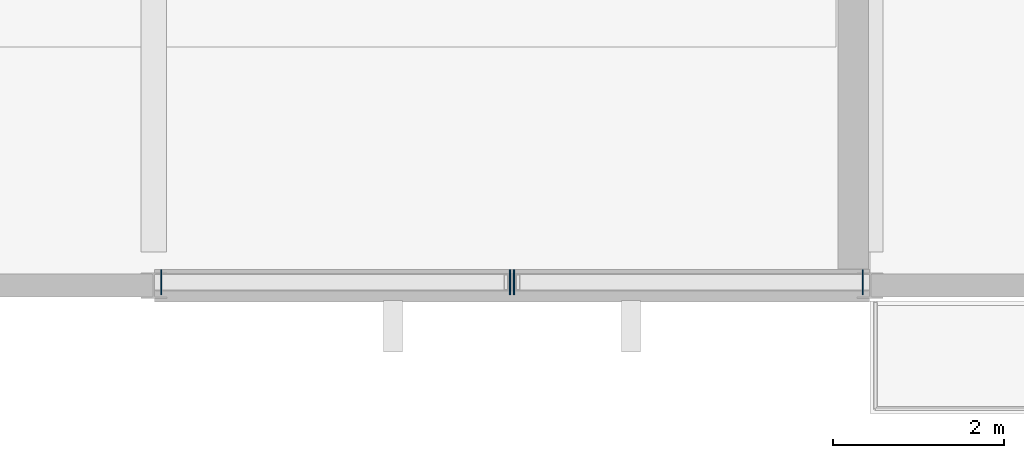
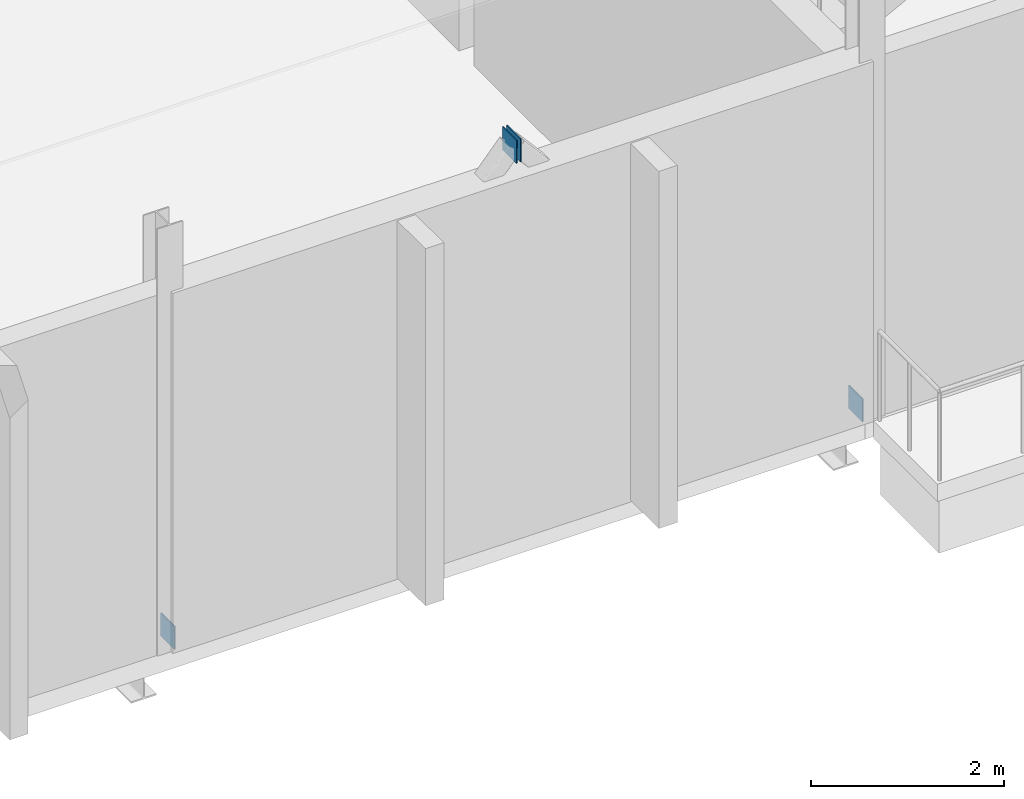
# One storey, part 68 of 95: 4 plates.
"""IFC4 building model written with IfcOpenShell, lengths in metres."""

from ifc_helpers import new_model, si_unit, direction, frame, origin, origin_2d, place, context, subcontext, project, spatial, rectangle, extrude, material, layer, layer_set, type_object, element, save


model = new_model("IFC4")

# Units and contexts
model_context = context("Model", 3, precision=1e-05, world=origin(), true_north=direction((0.0, 1.0)))
body_context = subcontext(model_context, "Body", "Model", "MODEL_VIEW")
ifc_project = project(units=[si_unit("LENGTHUNIT", "METRE"), si_unit("AREAUNIT", "SQUARE_METRE"), si_unit("VOLUMEUNIT", "CUBIC_METRE"), si_unit("PLANEANGLEUNIT", "RADIAN"), si_unit("MASSUNIT", "GRAM", prefix="KILO")], contexts=[model_context])

# Site, building, storey
site_placement = place(None, origin())
site = spatial("IfcSite", under=ifc_project, at=site_placement, CompositionType="ELEMENT")
building_placement = place(site_placement, origin())
building = spatial("IfcBuilding", under=site, at=building_placement, Name="Shengluoqiao Park Theatre", CompositionType="ELEMENT")
storey_placement = place(building_placement, origin())
storey = spatial("IfcBuildingStorey", under=building, at=storey_placement, Name="L00", CompositionType="ELEMENT", Elevation=0.0)

# Plates
ifc_material = material(Name="Steel Q355", Category="steel")
ifc_layer = layer(ifc_material, 0.013916015625, Name="Steel Q355")
ifc_layer_set = layer_set([ifc_layer], Name="Steel Q355")
plate_type = type_object("IfcPlateType", Name="STR-PLT-EC-280", PredefinedType="SHEET", material=ifc_layer_set)
for number, where, z_axis, x_axis, name in (
    (1, (19.28662109375, 0.0400390625, -0.025634765625), (0.0, 0.0, 1.0), (1.0, 0.0, 0.0), "Hollow Tube End Cap Plate 00180"),
    (2, (23.37646484375, 0.0400390625, 4.69189453125), (0.0, 0.0, 1.0), (1.0, 0.0, 0.0), "Hollow Tube End Cap Plate 00181"),
    (3, (27.513427734375, 0.0400390625, -0.025634765625), (0.0, 0.0, 1.0), (-1.0, 0.0, 0.0), "Hollow Tube End Cap Plate 00182"),
    (4, (23.423583984375, 0.0400390625, 4.69189453125), (0.0, 0.0, 1.0), (-1.0, 0.0, 0.0), "Hollow Tube End Cap Plate 00183"),
):
    element("IfcPlate", number, at=place(storey_placement, frame(where, z_axis=z_axis, x_axis=x_axis)), inside=storey, type_object=plate_type, Name=name, PredefinedType="SHEET", context=body_context, shape_type="SweptSolid", body=[
        extrude(rectangle(XDim=0.013916015625, YDim=0.2900390625, at=origin_2d()), origin(), (0.0, 0.0, 1.0), 0.2900390625),
    ])

save(model, "model.ifc")
